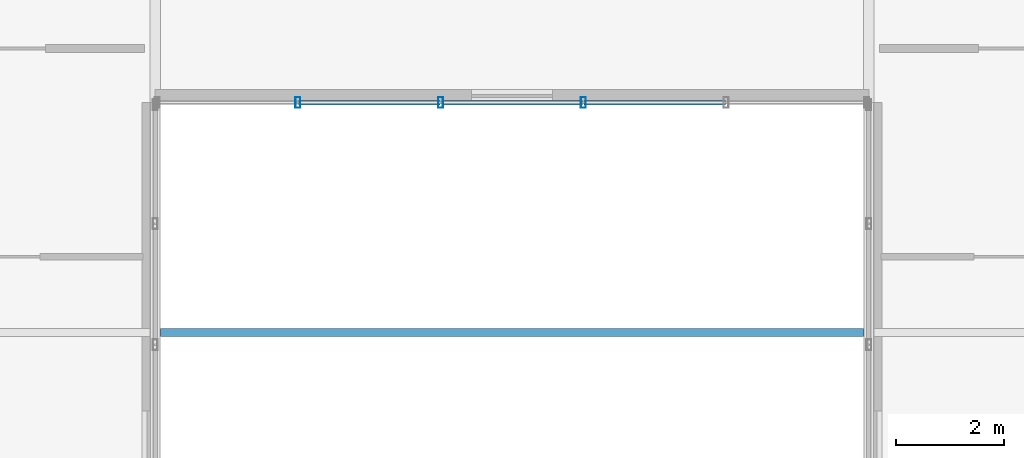
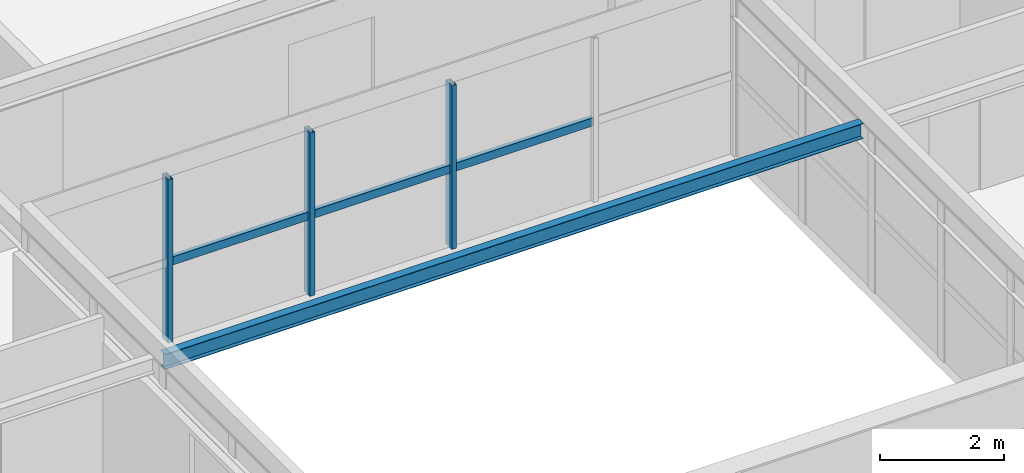
# One storey, part 11 of 37: 6 members, 1 beam, 1 element without a shape of its own.
"""IFC4 building model written with IfcOpenShell, lengths in metres."""

from ifc_helpers import new_model, si_unit, direction, frame, origin, origin_2d, place, context, subcontext, project, spatial, hollow_rectangle, i_section, extrude, source, transform, mapped, material, material_profile, profile_set, type_object, element, aggregate, save


model = new_model("IFC4")

# Units and contexts
model_context = context("Model", 3, precision=1e-05, world=origin(), true_north=direction((0.0, 1.0)))
body_context = subcontext(model_context, "Body", "Model", "MODEL_VIEW")
ifc_project = project(units=[si_unit("LENGTHUNIT", "METRE"), si_unit("AREAUNIT", "SQUARE_METRE"), si_unit("VOLUMEUNIT", "CUBIC_METRE"), si_unit("PLANEANGLEUNIT", "RADIAN"), si_unit("MASSUNIT", "GRAM", prefix="KILO")], contexts=[model_context])

# Site, building, storey
site_placement = place(None, origin())
site = spatial("IfcSite", under=ifc_project, at=site_placement, CompositionType="ELEMENT")
building_placement = place(site_placement, origin())
building = spatial("IfcBuilding", under=site, at=building_placement, Name="Trelvane Seafront Commons", CompositionType="ELEMENT")
storey_placement = place(building_placement, frame((0.0, 0.0, 201.300048828125)))
storey = spatial("IfcBuildingStorey", under=building, at=storey_placement, Name="L52", CompositionType="ELEMENT", Elevation=201.300048828125)

# Beam
ifc_material_1 = material(Name="Steel SM355 (S355)", Category="steel")
ifc_material_profile_1 = material_profile(ifc_material_1, i_section(OverallWidth=0.14990234375, OverallDepth=0.300048828125, WebThickness=0.006591796875, FlangeThickness=0.009033203125, at=origin_2d()), Name="H-300x150x6.5x9")
ifc_profile_set_1 = profile_set([ifc_material_profile_1], Name="Steel SM355 (S355)")
beam_type = type_object("IfcBeamType", Name="STR-JST-H300", PredefinedType="JOIST", material=ifc_profile_set_1)
shared_shape_1 = source(origin(), body_context, "Body", "SweptSolid", [
    extrude(i_section(OverallWidth=0.14990234375, OverallDepth=0.300048828125, WebThickness=0.006591796875, FlangeThickness=0.009033203125, at=origin_2d()), origin(), (0.0, 0.0, 1.0), 13.0),
])
beam_placement = place(storey_placement, frame((30.699951171875, 25.550048828125, 3.070068359375), z_axis=(1.0, 0.0, 0.0), x_axis=(0.0, 1.0, 0.0)))
element("IfcBeam", 1, at=beam_placement, inside=storey, type_object=beam_type, Name="L52 Secondary Floor Joist B-63", PredefinedType="JOIST", context=body_context, shape_type="MappedRepresentation", body=[
    mapped(shared_shape_1, transform((0.0, 0.0, 0.0), x_axis=(1.0, 0.0, 0.0), y_axis=(0.0, 1.0, 0.0), z_axis=(0.0, 0.0, 1.0), scale=1.0)),
])

# Curtain wall, members
ifc_material_2 = material(Name="Anodised pale-silver aluminium", Category="aluminium")
curtain_wall_type = type_object("IfcCurtainWallType", Name="ARCH-CW3-PORTAL", PredefinedType="NOTDEFINED", material=ifc_material_2)
curtain_wall_placement = place(storey_placement, origin())
curtain_wall = element("IfcCurtainWall", 2, at=curtain_wall_placement, inside=storey, type_object=curtain_wall_type, Name="CW-L52-VP-0093", PredefinedType="NOTDEFINED")
ifc_material_profile_2 = material_profile(ifc_material_2, hollow_rectangle(XDim=0.090087890625, YDim=0.199951171875, WallThickness=0.0048828125, at=origin_2d()), Name="MULL-90x200x5")
ifc_profile_set_2 = profile_set([ifc_material_profile_2], Name="Anodised pale-silver aluminium")
member_type_1 = type_object("IfcMemberType", Name="ARCH-CW-MULL-200", PredefinedType="MULLION", material=ifc_profile_set_2)
shared_shape_2 = source(origin(), body_context, "Body", "SweptSolid", [
    extrude(hollow_rectangle(XDim=0.090087890625, YDim=0.199951171875, WallThickness=0.0048828125, at=origin_2d()), origin(), (0.0, 0.0, 1.0), 3.219970703125),
])
member_1_placement = place(storey_placement, frame((33.239990234375, 29.800048828125, 0.0), z_axis=(0.0, 0.0, 1.0), x_axis=(1.0, 0.0, 0.0)))
member_1 = element("IfcMember", 3, at=member_1_placement, type_object=member_type_1, Name="CW-L52-VP-0093-M01", PredefinedType="MULLION", context=body_context, shape_type="MappedRepresentation", body=[
    mapped(shared_shape_2, transform((0.0, 0.0, 0.0), x_axis=(1.0, 0.0, 0.0), y_axis=(0.0, 1.0, 0.0), z_axis=(0.0, 0.0, 1.0), scale=1.0)),
])
member_2_placement = place(storey_placement, frame((35.8798828125, 29.800048828125, 0.0), z_axis=(0.0, 0.0, 1.0), x_axis=(1.0, 0.0, 0.0)))
member_2 = element("IfcMember", 4, at=member_2_placement, type_object=member_type_1, Name="CW-L52-VP-0093-M02", PredefinedType="MULLION", context=body_context, shape_type="MappedRepresentation", body=[
    mapped(shared_shape_2, transform((0.0, 0.0, 0.0), x_axis=(1.0, 0.0, 0.0), y_axis=(0.0, 1.0, 0.0), z_axis=(0.0, 0.0, 1.0), scale=1.0)),
])
member_3_placement = place(storey_placement, frame((38.52001953125, 29.800048828125, 0.0), z_axis=(0.0, 0.0, 1.0), x_axis=(1.0, 0.0, 0.0)))
member_3 = element("IfcMember", 5, at=member_3_placement, type_object=member_type_1, Name="CW-L52-VP-0093-M03", PredefinedType="MULLION", context=body_context, shape_type="MappedRepresentation", body=[
    mapped(shared_shape_2, transform((0.0, 0.0, 0.0), x_axis=(1.0, 0.0, 0.0), y_axis=(0.0, 1.0, 0.0), z_axis=(0.0, 0.0, 1.0), scale=1.0)),
])
ifc_material_profile_3 = material_profile(ifc_material_2, hollow_rectangle(XDim=0.080078125, YDim=0.159912109375, WallThickness=0.00439453125, at=origin_2d()), Name="TRAN-80x160x4.5")
ifc_profile_set_3 = profile_set([ifc_material_profile_3], Name="Anodised pale-silver aluminium")
member_type_2 = type_object("IfcMemberType", Name="ARCH-CW-TRAN-160", PredefinedType="USERDEFINED", material=ifc_profile_set_3)
shared_shape_3 = source(origin(), body_context, "Body", "SweptSolid", [
    extrude(hollow_rectangle(XDim=0.080078125, YDim=0.159912109375, WallThickness=0.00439453125, at=origin_2d()), origin(), (0.0, 0.0, 1.0), 2.615966796875),
])
member_4_placement = place(storey_placement, frame((33.251953125, 29.800048828125, 1.5458984375), z_axis=(1.0, 0.0, 0.0), x_axis=(0.0, 1.0, 0.0)))
member_4 = element("IfcMember", 6, at=member_4_placement, type_object=member_type_2, Name="CW-L52-VP-0093-T01", ObjectType="TRANSOM", PredefinedType="USERDEFINED", context=body_context, shape_type="MappedRepresentation", body=[
    mapped(shared_shape_3, transform((0.0, 0.0, 0.0), x_axis=(1.0, 0.0, 0.0), y_axis=(0.0, 1.0, 0.0), z_axis=(0.0, 0.0, 1.0), scale=1.0)),
])
member_5_placement = place(storey_placement, frame((35.89208984375, 29.800048828125, 1.5458984375), z_axis=(1.0, 0.0, 0.0), x_axis=(0.0, 1.0, 0.0)))
member_5 = element("IfcMember", 7, at=member_5_placement, type_object=member_type_2, Name="CW-L52-VP-0093-T02", ObjectType="TRANSOM", PredefinedType="USERDEFINED", context=body_context, shape_type="MappedRepresentation", body=[
    mapped(shared_shape_3, transform((0.0, 0.0, 0.0), x_axis=(1.0, 0.0, 0.0), y_axis=(0.0, 1.0, 0.0), z_axis=(0.0, 0.0, 1.0), scale=1.0)),
])
member_6_placement = place(storey_placement, frame((38.531982421875, 29.800048828125, 1.5458984375), z_axis=(1.0, 0.0, 0.0), x_axis=(0.0, 1.0, 0.0)))
member_6 = element("IfcMember", 8, at=member_6_placement, type_object=member_type_2, Name="CW-L52-VP-0093-T03", ObjectType="TRANSOM", PredefinedType="USERDEFINED", context=body_context, shape_type="MappedRepresentation", body=[
    mapped(shared_shape_3, transform((0.0, 0.0, 0.0), x_axis=(1.0, 0.0, 0.0), y_axis=(0.0, 1.0, 0.0), z_axis=(0.0, 0.0, 1.0), scale=1.0)),
])
aggregate(curtain_wall, [member_1, member_2, member_3, member_4, member_5, member_6])

save(model, "model.ifc")
